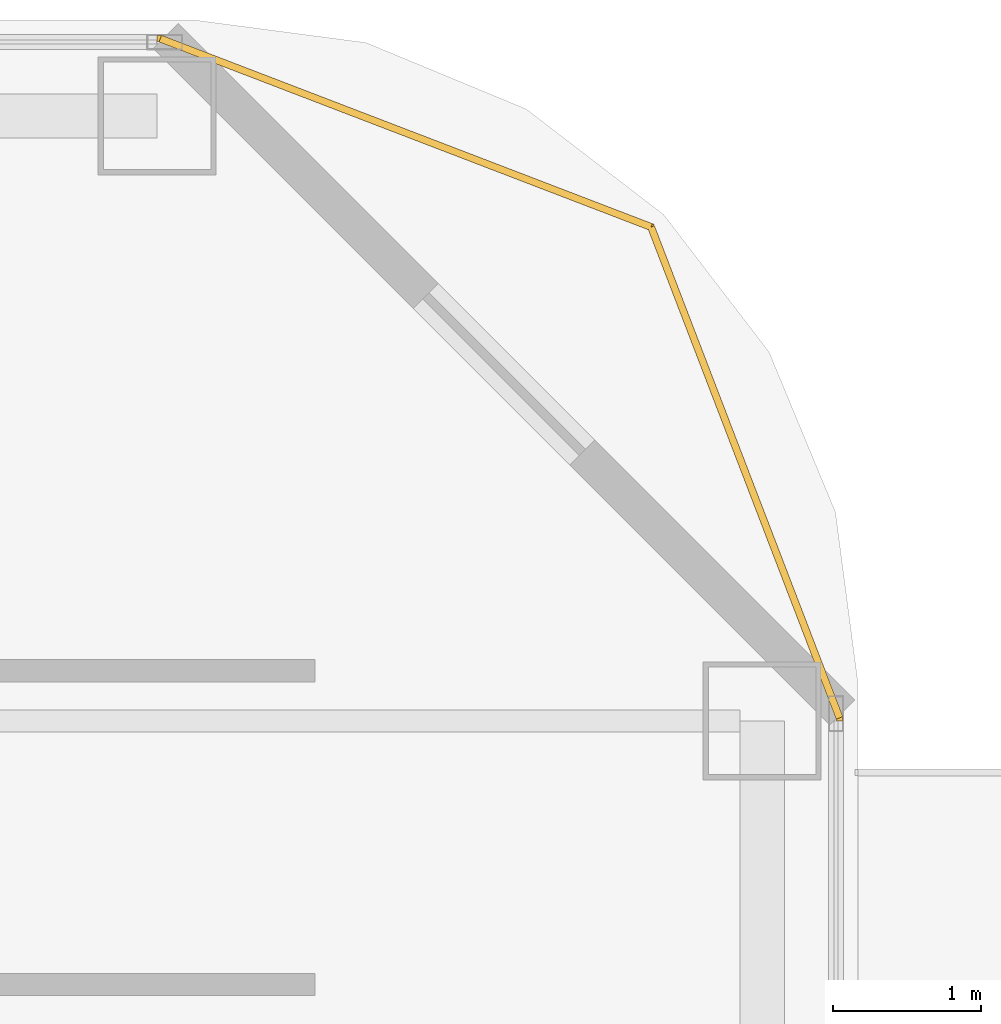
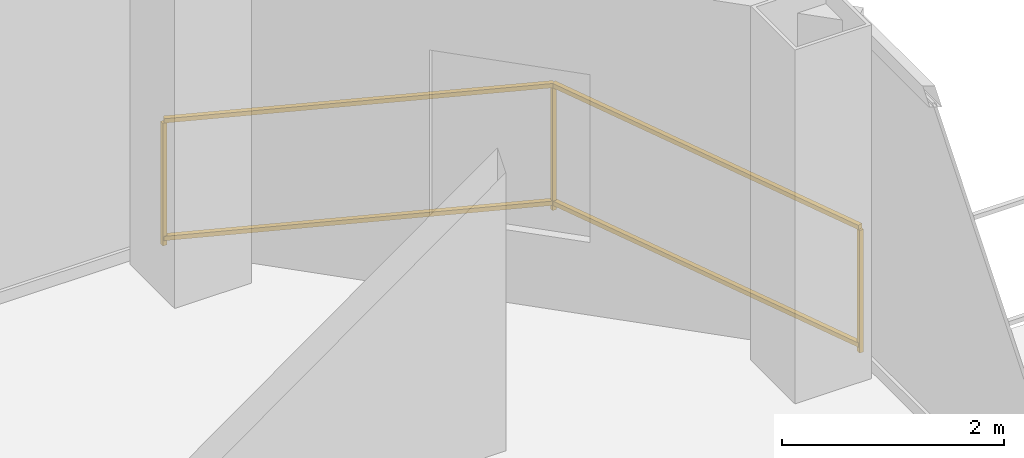
# One storey, part 29 of 29: 1 railing.
"""IFC4 building model written with IfcOpenShell, lengths in metres."""

import ifcopenshell
import ifcopenshell.guid

model = None  # the IFC model being written
_history = None  # IfcOwnerHistory: only IFC2X3 demands one
_inside = {}  # id of a spatial element -> (the spatial element, [elements in it])
_under = {}  # id of a project, library or spatial element -> (it, [spatial elements below it])
_declared = {}  # id of a project -> (the project, [libraries it declares])
_typed = {}  # id of a type object -> (the type object, [elements of that type])
_made_of = {}  # id of a material, layer set ... -> (it, [elements and type objects made of it])


def new_model(schema):
    """Start an empty IFC model of exactly this schema.

    Asked for "IFC4X3", IfcOpenShell would pick the latest addendum, in which some entities
    have other attributes; the version numbers below select the first issue.
    IFC2X3 requires an IfcOwnerHistory on every rooted entity: one is made here for all.
    """
    global model, _history
    if schema == "IFC4X3":
        model = ifcopenshell.file(schema_version=(4, 3, 0, 0))
    else:
        model = ifcopenshell.file(schema=schema)
    _inside.clear()
    _under.clear()
    _declared.clear()
    _typed.clear()
    _made_of.clear()
    _history = None
    if model.schema == "IFC2X3":
        org = make("IfcOrganization", Name="unknown")
        user = make(
            "IfcPersonAndOrganization",
            ThePerson=make("IfcPerson", FamilyName="unknown"),
            TheOrganization=org,
        )
        app = make(
            "IfcApplication",
            ApplicationDeveloper=org,
            Version="unknown",
            ApplicationFullName="unknown",
            ApplicationIdentifier="unknown",
        )
        _history = make(
            "IfcOwnerHistory",
            OwningUser=user,
            OwningApplication=app,
            ChangeAction="ADDED",
            CreationDate=0,
        )
    return model


def make(cls, **values):
    """One entity of the class cls with the attributes given. An attribute that is None is left unset."""
    return model.create_entity(
        cls, **{name: value for name, value in values.items() if value is not None}
    )


def rooted(cls, **values):
    """An entity with a GlobalId (a new one), such as an element, a storey or a relation."""
    return make(cls, GlobalId=ifcopenshell.guid.new(), OwnerHistory=_history, **values)


def si_unit(unit_type, name, prefix=None):
    """IfcSIUnit, for example si_unit("LENGTHUNIT", "METRE", prefix="MILLI")."""
    return make("IfcSIUnit", UnitType=unit_type, Prefix=prefix, Name=name)


def assignment(units):
    """IfcUnitAssignment: the units of a project."""
    return None if units is None else make("IfcUnitAssignment", Units=units)


def point(xyz):
    """IfcCartesianPoint."""
    return None if xyz is None else make("IfcCartesianPoint", Coordinates=xyz)


def direction(xyz):
    """IfcDirection."""
    return None if xyz is None else make("IfcDirection", DirectionRatios=xyz)


def frame(location, z_axis=None, x_axis=None):
    """IfcAxis2Placement3D, a coordinate frame: its origin and axes. An axis left out is left unset."""
    return make(
        "IfcAxis2Placement3D",
        Location=point(location),
        Axis=direction(z_axis),
        RefDirection=direction(x_axis),
    )


def frame_2d(location, x_axis=None):
    """IfcAxis2Placement2D, a coordinate frame in the plane: its origin and x axis."""
    return make(
        "IfcAxis2Placement2D", Location=point(location), RefDirection=direction(x_axis)
    )


def origin():
    """The frame at (0, 0, 0) with its axes left unset."""
    return frame((0.0, 0.0, 0.0))


def origin_2d():
    """The frame at (0, 0) in the plane with its x axis left unset."""
    return frame_2d((0.0, 0.0))


def place(relative_to, where):
    """IfcLocalPlacement: puts the frame where relative to a parent placement (None: the world)."""
    return make(
        "IfcLocalPlacement", PlacementRelTo=relative_to, RelativePlacement=where
    )


def context(
    kind, dimensions, precision=None, world=None, true_north=None, identifier=None
):
    """IfcGeometricRepresentationContext, for example the 3D "Model" context."""
    return make(
        "IfcGeometricRepresentationContext",
        ContextIdentifier=identifier,
        ContextType=kind,
        CoordinateSpaceDimension=dimensions,
        Precision=precision,
        WorldCoordinateSystem=world,
        TrueNorth=true_north,
    )


def subcontext(parent, identifier, kind, view, scale=None):
    """IfcGeometricRepresentationSubContext, for example "Body" below "Model"."""
    return make(
        "IfcGeometricRepresentationSubContext",
        ContextIdentifier=identifier,
        ContextType=kind,
        ParentContext=parent,
        TargetScale=scale,
        TargetView=view,
    )


def project(units=None, contexts=None):
    """IfcProject with its units and contexts."""
    return rooted(
        "IfcProject",
        Name="project",
        RepresentationContexts=contexts,
        UnitsInContext=assignment(units),
    )


def spatial(cls, under=None, at=None, **own):
    """A site, building, storey or space (cls), placed at a placement, below another one or the project."""
    s = rooted(cls, ObjectPlacement=at, **own)
    if under is not None:
        _under.setdefault(under.id(), (under, []))[1].append(s)
    return s


def profile(cls, at=None, kind="AREA", **sizes):
    """A parametric profile (cls). Its sizes go by their IFC names, for example OverallWidth=200.0."""
    return make(cls, ProfileType=kind, Position=at, **sizes)


def rectangle(**sizes):
    """IfcRectangleProfileDef."""
    return profile("IfcRectangleProfileDef", **sizes)


def extrude(swept, where, along, depth):
    """IfcExtrudedAreaSolid: the profile swept, set in the frame where, extruded along a direction by depth."""
    return make(
        "IfcExtrudedAreaSolid",
        SweptArea=swept,
        Position=where,
        ExtrudedDirection=direction(along),
        Depth=depth,
    )


def shape(context_of_items, identifier, shape_type, items):
    """IfcShapeRepresentation: the items that make up one representation, for example the "Body"."""
    return make(
        "IfcShapeRepresentation",
        ContextOfItems=context_of_items,
        RepresentationIdentifier=identifier,
        RepresentationType=shape_type,
        Items=items,
    )


def material(Name=None, Category=None):
    """IfcMaterial."""
    return make("IfcMaterial", Name=Name, Category=Category)


def made_of(thing, what):
    """Note that an element or type object is made of a material, layer set ...; save() writes the relation."""
    if what is not None:
        _made_of.setdefault(what.id(), (what, []))[1].append(thing)
    return thing


def type_object(cls, material=None, **own):
    """A type object (cls), such as IfcWallType, which elements share."""
    return made_of(rooted(cls, **own), material)


def element(
    cls,
    number,
    at=None,
    inside=None,
    cuts=None,
    type_object=None,
    material=None,
    context=None,
    identifier="Body",
    shape_type=None,
    held_by="IfcProductDefinitionShape",
    body=None,
    shapes=None,
    **own,
):
    """One element of the class cls, such as IfcWall. Its Tag is "e" and its number.

    at: its placement. inside: the storey or other place that contains it. cuts: it is an
    opening in that element (IfcRelVoidsElement). A single representation is given by context,
    identifier, shape_type and body (its items); several are given by shapes. held_by: the class
    of the entity that holds the representations. save() writes the other relations.
    """
    e = rooted(cls, Tag="e%d" % number, ObjectPlacement=at, **own)
    if body is not None:
        shapes = [shape(context, identifier, shape_type, body)]
    if shapes is not None:
        e.Representation = make(held_by, Representations=shapes)
    if inside is not None:
        _inside.setdefault(inside.id(), (inside, []))[1].append(e)
    if cuts is not None:
        rooted(
            "IfcRelVoidsElement", RelatingBuildingElement=cuts, RelatedOpeningElement=e
        )
    if type_object is not None:
        _typed.setdefault(type_object.id(), (type_object, []))[1].append(e)
    return made_of(e, material)


def aggregate(whole, parts):
    """IfcRelAggregates: a whole, such as a stair, and the parts it consists of."""
    return rooted("IfcRelAggregates", RelatingObject=whole, RelatedObjects=parts)


def save(model, path):
    """Write the relations noted so far, then the file.

    IfcRelAggregates (storeys below a building ...), IfcRelContainedInSpatialStructure (elements
    in a storey), IfcRelDefinesByType, IfcRelAssociatesMaterial and IfcRelDeclares: one each for
    every whole, place, type object, material and project.
    """
    for whole, parts in _under.values():
        aggregate(whole, parts)
    for where, things in _inside.values():
        rooted(
            "IfcRelContainedInSpatialStructure",
            RelatedElements=things,
            RelatingStructure=where,
        )
    for kind, things in _typed.values():
        rooted("IfcRelDefinesByType", RelatedObjects=things, RelatingType=kind)
    for what, things in _made_of.values():
        rooted("IfcRelAssociatesMaterial", RelatedObjects=things, RelatingMaterial=what)
    for by, libraries in _declared.values():
        rooted("IfcRelDeclares", RelatingContext=by, RelatedDefinitions=libraries)
    model.write(path)


model = new_model("IFC4")

# Units and contexts
model_context = context("Model", 3, precision=1e-05, world=origin(), true_north=direction((0.0, 1.0)))
body_context = subcontext(model_context, "Body", "Model", "MODEL_VIEW")
ifc_project = project(units=[si_unit("LENGTHUNIT", "METRE"), si_unit("AREAUNIT", "SQUARE_METRE"), si_unit("VOLUMEUNIT", "CUBIC_METRE"), si_unit("PLANEANGLEUNIT", "RADIAN"), si_unit("MASSUNIT", "GRAM", prefix="KILO")], contexts=[model_context])

# Site, building, storey
site_placement = place(None, origin())
site = spatial("IfcSite", under=ifc_project, at=site_placement, CompositionType="ELEMENT")
building_placement = place(site_placement, origin())
building = spatial("IfcBuilding", under=site, at=building_placement, Name="Khorvyn Point Tower", CompositionType="ELEMENT")
storey_placement = place(building_placement, frame((0.0, 0.0, 61.800048828125)))
storey = spatial("IfcBuildingStorey", under=building, at=storey_placement, Name="L16", CompositionType="ELEMENT", Elevation=61.800048828125)

# Railing
ifc_material = material(Name="Anodised aluminium 6063-T6 and laminated safety glass", Category="aluminium")
railing_type = type_object("IfcRailingType", Name="Laminated Glass and Aluminium Balcony Guardrail 1400", PredefinedType="BALUSTRADE", material=ifc_material)
railing_placement = place(storey_placement, frame((22.174072265625, 20.470703125, 0.0)))
element("IfcRailing", 1, at=railing_placement, inside=storey, type_object=railing_type, Name="L16 Rounded Corner Edge Guardrail NE", PredefinedType="BALUSTRADE", context=body_context, shape_type="SweptSolid", body=[
    extrude(rectangle(XDim=0.048095703125, YDim=0.048095703125, at=origin_2d()), frame((0.0, 0.0, 1.3759765625), z_axis=(-0.358359142172, 0.933583807283, 0.0), x_axis=(-0.933583807283, -0.358359142172, 0.0)), (0.0, 0.0, 1.0), 3.56298828125),
    extrude(rectangle(XDim=0.048095703125, YDim=0.048095703125, at=origin_2d()), frame((0.0, 0.0, 0.080078125), z_axis=(-0.358359142172, 0.933583807283, 0.0), x_axis=(-0.933583807283, -0.358359142172, 0.0)), (0.0, 0.0, 1.0), 3.56298828125),
    extrude(rectangle(XDim=0.048095703125, YDim=0.048095703125, at=origin_2d()), frame((-1.27685546875, 3.326416015625, 1.3759765625), z_axis=(-0.933583807283, 0.358359142172, 0.0), x_axis=(-0.358359142172, -0.933583807283, 0.0)), (0.0, 0.0, 1.0), 3.56298828125),
    extrude(rectangle(XDim=0.048095703125, YDim=0.048095703125, at=origin_2d()), frame((-1.27685546875, 3.326416015625, 0.080078125), z_axis=(-0.933583807283, 0.358359142172, 0.0), x_axis=(-0.358359142172, -0.933583807283, 0.0)), (0.0, 0.0, 1.0), 3.56298828125),
    extrude(rectangle(XDim=0.0419921875, YDim=0.0419921875, at=origin_2d()), origin(), (0.0, 0.0, 1.0), 1.351806640625),
    extrude(rectangle(XDim=0.0419921875, YDim=0.0419921875, at=origin_2d()), frame((-1.27685546875, 3.326416015625, 0.0)), (0.0, 0.0, 1.0), 1.351806640625),
    extrude(rectangle(XDim=0.0419921875, YDim=0.0419921875, at=origin_2d()), frame((-4.603271484375, 4.603271484375, 0.0)), (0.0, 0.0, 1.0), 1.351806640625),
])

save(model, "model.ifc")
